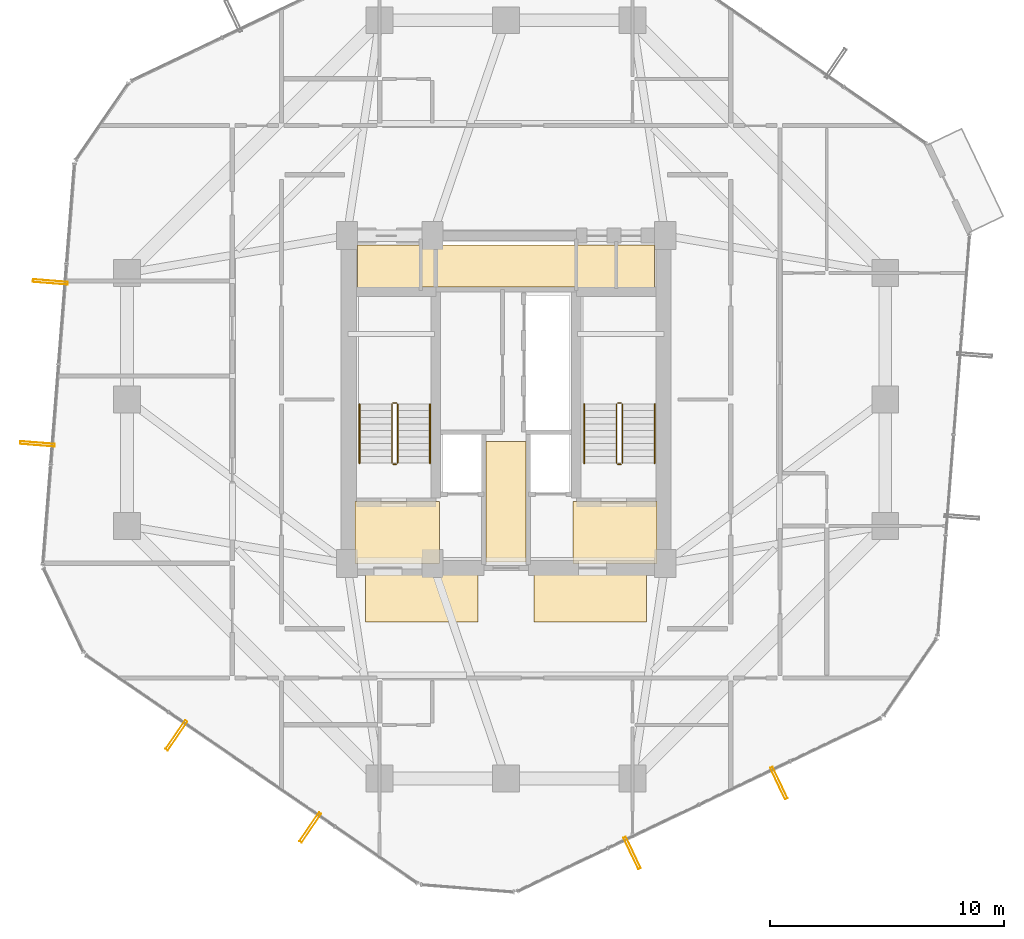
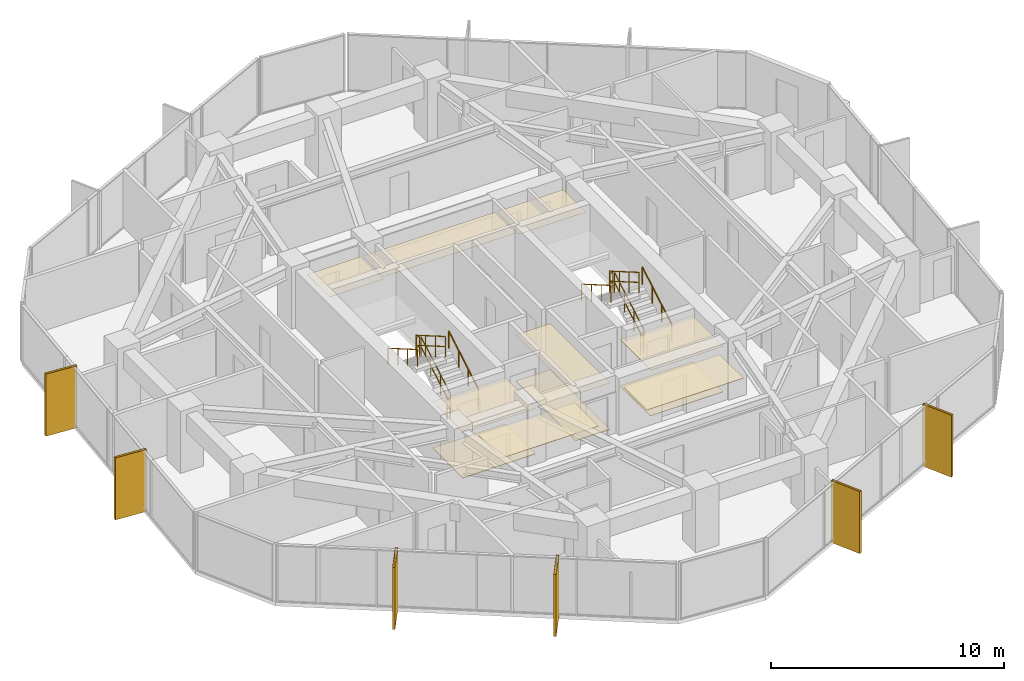
# One storey, part 29 of 30: 12 railings, 11 coverings, 6 shading devices.
"""IFC4 building model written with IfcOpenShell, lengths in metres."""

from ifc_helpers import new_model, si_unit, direction, frame, origin, origin_2d, place, context, subcontext, project, spatial, polyline, hollow_rectangle, circle, outline, extrude, material, layer, layer_set, material_profile, profile_set, type_object, element, save


model = new_model("IFC4")

# Units and contexts
model_context = context("Model", 3, precision=1e-05, world=origin(), true_north=direction((0.0, 1.0)))
body_context = subcontext(model_context, "Body", "Model", "MODEL_VIEW")
ifc_project = project(units=[si_unit("LENGTHUNIT", "METRE"), si_unit("AREAUNIT", "SQUARE_METRE"), si_unit("VOLUMEUNIT", "CUBIC_METRE"), si_unit("PLANEANGLEUNIT", "RADIAN"), si_unit("MASSUNIT", "GRAM", prefix="KILO")], contexts=[model_context])

# Site, building, storey
site_placement = place(None, origin())
site = spatial("IfcSite", under=ifc_project, at=site_placement, CompositionType="ELEMENT")
building_placement = place(site_placement, origin())
building = spatial("IfcBuilding", under=site, at=building_placement, Name="Veraguas Prism Commons", CompositionType="ELEMENT")
storey_placement = place(building_placement, frame((0.0, 0.0, 113.25)))
storey = spatial("IfcBuildingStorey", under=building, at=storey_placement, Name="L31", CompositionType="ELEMENT", Elevation=113.25)

# Shading devices
ifc_material_1 = material(Name="Anodised aluminium EN AW-6063 T6", Category="aluminium")
ifc_material_profile = material_profile(ifc_material_1, hollow_rectangle(XDim=0.1201171875, YDim=1.489990234375, WallThickness=0.006103515625, at=origin_2d()), Name="FIN120X1490X6")
ifc_profile_set = profile_set([ifc_material_profile], Name="Anodised aluminium EN AW-6063 T6")
shading_device_type = type_object("IfcShadingDeviceType", Name="Deep Pale-Metal Vertical Solar Fin 120x1490", PredefinedType="USERDEFINED", material=ifc_profile_set)
for number, where, z_axis, x_axis, name in (
    (1, (4.527587890625, 29.02099609375, -0.22998046875), (0.0, 0.0, 1.0), (-0.078803600935, -0.99689016069, 0.0), "Vertical Pale-Metal Solar Fin L31-F3A"),
    (2, (3.980712890625, 22.100830078125, -0.22998046875), (0.0, 0.0, 1.0), (-0.078803600935, -0.99689016069, 0.0), "Vertical Pale-Metal Solar Fin L31-F3B"),
    (3, (9.91552734375, 9.64697265625, -0.22998046875), (0.0, 0.0, 1.0), (0.823929414409, -0.566692438693, 0.0), "Vertical Pale-Metal Solar Fin L31-F4A"),
    (4, (15.635009765625, 5.713134765625, -0.22998046875), (0.0, 0.0, 1.0), (0.823929414409, -0.566692438693, 0.0), "Vertical Pale-Metal Solar Fin L31-F4B"),
    (5, (29.3876953125, 4.6259765625, -0.22998046875), (0.0, 0.0, 1.0), (0.902734755245, 0.430197584457, 0.0), "Vertical Pale-Metal Solar Fin L31-F5A"),
    (6, (35.654296875, 7.6123046875, -0.22998046875), (0.0, 0.0, 1.0), (0.902734755245, 0.430197584457, 0.0), "Vertical Pale-Metal Solar Fin L31-F5B"),
):
    element("IfcShadingDevice", number, at=place(storey_placement, frame(where, z_axis=z_axis, x_axis=x_axis)), inside=storey, type_object=shading_device_type, Name=name, ObjectType="FIN", PredefinedType="USERDEFINED", context=body_context, shape_type="SweptSolid", body=[
        extrude(hollow_rectangle(XDim=0.1201171875, YDim=1.489990234375, WallThickness=0.006103515625, at=origin_2d()), origin(), (0.0, 0.0, 1.0), 3.25),
    ])

# Coverings
ifc_material_2 = material(Name="Acoustic gypsum board")
ifc_layer_1 = layer(ifc_material_2, 0.02490234375, Name="Perforated Acoustic Ceiling Tile 25")
ifc_layer_set_1 = layer_set([ifc_layer_1], Name="Acoustic gypsum board")
covering_type_1 = type_object("IfcCoveringType", Name="Perforated Acoustic Ceiling Tile 25", PredefinedType="USERDEFINED", material=ifc_layer_set_1)
covering_1_placement = place(storey_placement, frame((0.0, 0.0, 2.425048828125)))
element("IfcCovering", 7, at=covering_1_placement, inside=storey, type_object=covering_type_1, Name="East Lobby Acoustic Ceiling L31", ObjectType="ACOUSTIC CEILING", PredefinedType="USERDEFINED", context=body_context, shape_type="SweptSolid", body=[
    extrude(outline(polyline([(26.85009765625, 17.0), (30.449951171875, 17.0), (30.449951171875, 19.64990234375), (26.85009765625, 19.64990234375), (26.85009765625, 17.0)])), origin(), (0.0, 0.0, 1.0), 0.02490234375),
])
ifc_material_3 = material(Name="Terrazzo stone finish", Category="masonry")
ifc_layer_2 = layer(ifc_material_3, 0.030029296875, Name="Polished Terrazzo Floor Finish 30", Category="masonry")
ifc_layer_set_2 = layer_set([ifc_layer_2], Name="Terrazzo stone finish")
covering_type_2 = type_object("IfcCoveringType", Name="Polished Terrazzo Floor Finish 30", PredefinedType="FLOORING", material=ifc_layer_set_2)
covering_2_placement = place(storey_placement, origin())
element("IfcCovering", 8, at=covering_2_placement, inside=storey, type_object=covering_type_2, Name="Terrazzo Lobby Flooring L31", PredefinedType="FLOORING", context=body_context, shape_type="SweptSolid", body=[
    extrude(outline(polyline([(23.14990234375, 17.050048828125), (24.85009765625, 17.050048828125), (24.85009765625, 22.199951171875), (23.14990234375, 22.199951171875), (23.14990234375, 17.050048828125)])), origin(), (0.0, 0.0, 1.0), 0.030029296875),
])
covering_3_placement = place(storey_placement, origin())
element("IfcCovering", 9, at=covering_3_placement, inside=storey, type_object=covering_type_2, Name="West FF Lobby Terrazzo Flooring L31", PredefinedType="FLOORING", context=body_context, shape_type="SweptSolid", body=[
    extrude(outline(polyline([(17.550048828125, 17.050048828125), (21.14990234375, 17.050048828125), (21.14990234375, 19.64990234375), (17.550048828125, 19.64990234375), (17.550048828125, 17.050048828125)])), origin(), (0.0, 0.0, 1.0), 0.030029296875),
])
covering_4_placement = place(storey_placement, origin())
element("IfcCovering", 10, at=covering_4_placement, inside=storey, type_object=covering_type_2, Name="East FF Lobby Terrazzo Flooring L31", PredefinedType="FLOORING", context=body_context, shape_type="SweptSolid", body=[
    extrude(outline(polyline([(26.85009765625, 17.050048828125), (30.449951171875, 17.050048828125), (30.449951171875, 19.64990234375), (26.85009765625, 19.64990234375), (26.85009765625, 17.050048828125)])), origin(), (0.0, 0.0, 1.0), 0.030029296875),
])

# Railings
ifc_material_4 = material(Name="Stainless steel AISI 316", Category="steel")
railing_type_1 = type_object("IfcRailingType", Name="Stair and Ramp Stainless Handrail 900", PredefinedType="HANDRAIL", material=ifc_material_4)
railing_1_placement = place(storey_placement, frame((20.75, 21.280029296875, 0.16259765625)))
element("IfcRailing", 11, at=railing_1_placement, inside=storey, type_object=railing_type_1, Name="Stair Handrail ST-01 L31-1", PredefinedType="HANDRAIL", context=body_context, shape_type="SweptSolid", body=[
    extrude(circle(Radius=0.02392578125, at=origin_2d()), frame((0.0, 0.0, 0.8759765625), z_axis=(0.0, 0.864913338283, 0.50192122615), x_axis=(-1.0, 0.0, 0.0)), (0.0, 0.0, 1.0), 2.91357421875),
    extrude(circle(Radius=0.02099609375, at=origin_2d()), origin(), (0.0, 0.0, 1.0), 0.851806640625),
    extrude(circle(Radius=0.02099609375, at=origin_2d()), frame((0.0, 0.840087890625, 0.487548828125)), (0.0, 0.0, 1.0), 0.851806640625),
    extrude(circle(Radius=0.02099609375, at=origin_2d()), frame((0.0, 1.679931640625, 0.974853515625)), (0.0, 0.0, 1.0), 0.851806640625),
    extrude(circle(Radius=0.02099609375, at=origin_2d()), frame((0.0, 2.52001953125, 1.46240234375)), (0.0, 0.0, 1.0), 0.851806640625),
])
railing_2_placement = place(storey_placement, frame((17.739990234375, 23.800048828125, 1.78759765625)))
element("IfcRailing", 12, at=railing_2_placement, inside=storey, type_object=railing_type_1, Name="Stair Handrail ST-01 L31-2", PredefinedType="HANDRAIL", context=body_context, shape_type="SweptSolid", body=[
    extrude(circle(Radius=0.02392578125, at=origin_2d()), frame((0.0, 0.0, 0.8759765625), z_axis=(0.0, -0.864913338283, 0.50192122615), x_axis=(1.0, 0.0, 0.0)), (0.0, 0.0, 1.0), 2.91357421875),
    extrude(circle(Radius=0.02099609375, at=origin_2d()), origin(), (0.0, 0.0, 1.0), 0.851806640625),
    extrude(circle(Radius=0.02099609375, at=origin_2d()), frame((0.0, -0.840087890625, 0.487548828125)), (0.0, 0.0, 1.0), 0.851806640625),
    extrude(circle(Radius=0.02099609375, at=origin_2d()), frame((0.0, -1.679931640625, 0.974853515625)), (0.0, 0.0, 1.0), 0.851806640625),
    extrude(circle(Radius=0.02099609375, at=origin_2d()), frame((0.0, -2.52001953125, 1.46240234375)), (0.0, 0.0, 1.0), 0.851806640625),
])
railing_3_placement = place(storey_placement, frame((30.35009765625, 21.280029296875, 0.16259765625)))
element("IfcRailing", 13, at=railing_3_placement, inside=storey, type_object=railing_type_1, Name="Stair Handrail ST-02 L31-1", PredefinedType="HANDRAIL", context=body_context, shape_type="SweptSolid", body=[
    extrude(circle(Radius=0.02392578125, at=origin_2d()), frame((0.0, 0.0, 0.8759765625), z_axis=(0.0, 0.864913338283, 0.50192122615), x_axis=(-1.0, 0.0, 0.0)), (0.0, 0.0, 1.0), 2.91357421875),
    extrude(circle(Radius=0.02099609375, at=origin_2d()), origin(), (0.0, 0.0, 1.0), 0.851806640625),
    extrude(circle(Radius=0.02099609375, at=origin_2d()), frame((0.0, 0.840087890625, 0.487548828125)), (0.0, 0.0, 1.0), 0.851806640625),
    extrude(circle(Radius=0.02099609375, at=origin_2d()), frame((0.0, 1.679931640625, 0.974853515625)), (0.0, 0.0, 1.0), 0.851806640625),
    extrude(circle(Radius=0.02099609375, at=origin_2d()), frame((0.0, 2.52001953125, 1.46240234375)), (0.0, 0.0, 1.0), 0.851806640625),
])
railing_4_placement = place(storey_placement, frame((27.340087890625, 23.800048828125, 1.78759765625)))
element("IfcRailing", 14, at=railing_4_placement, inside=storey, type_object=railing_type_1, Name="Stair Handrail ST-02 L31-2", PredefinedType="HANDRAIL", context=body_context, shape_type="SweptSolid", body=[
    extrude(circle(Radius=0.02392578125, at=origin_2d()), frame((0.0, 0.0, 0.8759765625), z_axis=(0.0, -0.864913338283, 0.50192122615), x_axis=(1.0, 0.0, 0.0)), (0.0, 0.0, 1.0), 2.91357421875),
    extrude(circle(Radius=0.02099609375, at=origin_2d()), origin(), (0.0, 0.0, 1.0), 0.851806640625),
    extrude(circle(Radius=0.02099609375, at=origin_2d()), frame((0.0, -0.840087890625, 0.487548828125)), (0.0, 0.0, 1.0), 0.851806640625),
    extrude(circle(Radius=0.02099609375, at=origin_2d()), frame((0.0, -1.679931640625, 0.974853515625)), (0.0, 0.0, 1.0), 0.851806640625),
    extrude(circle(Radius=0.02099609375, at=origin_2d()), frame((0.0, -2.52001953125, 1.46240234375)), (0.0, 0.0, 1.0), 0.851806640625),
])
railing_type_2 = type_object("IfcRailingType", Name="Stairwell Safety Guardrail 1100", PredefinedType="GUARDRAIL", material=ifc_material_4)
railing_5_placement = place(storey_placement, frame((19.3701171875, 21.280029296875, 0.16259765625)))
element("IfcRailing", 15, at=railing_5_placement, inside=storey, type_object=railing_type_2, Name="Stair Guard ST-01 L31-1", PredefinedType="GUARDRAIL", context=body_context, shape_type="SweptSolid", body=[
    extrude(circle(Radius=0.02392578125, at=origin_2d()), frame((0.0, 0.0, 1.076171875), z_axis=(0.0, 0.864913338283, 0.50192122615), x_axis=(-1.0, 0.0, 0.0)), (0.0, 0.0, 1.0), 2.91357421875),
    extrude(circle(Radius=0.02392578125, at=origin_2d()), frame((0.0, 0.0, 0.550048828125), z_axis=(0.0, 0.864913338283, 0.50192122615), x_axis=(-1.0, 0.0, 0.0)), (0.0, 0.0, 1.0), 2.91357421875),
    extrude(circle(Radius=0.02099609375, at=origin_2d()), origin(), (0.0, 0.0, 1.0), 1.052001953125),
    extrude(circle(Radius=0.02099609375, at=origin_2d()), frame((0.0, 0.840087890625, 0.487548828125)), (0.0, 0.0, 1.0), 1.052001953125),
    extrude(circle(Radius=0.02099609375, at=origin_2d()), frame((0.0, 1.679931640625, 0.974853515625)), (0.0, 0.0, 1.0), 1.052001953125),
    extrude(circle(Radius=0.02099609375, at=origin_2d()), frame((0.0, 2.52001953125, 1.46240234375)), (0.0, 0.0, 1.0), 1.052001953125),
])
railing_6_placement = place(storey_placement, frame((19.320068359375, 23.85009765625, 1.625)))
element("IfcRailing", 16, at=railing_6_placement, inside=storey, type_object=railing_type_2, Name="Stair Guard ST-01 L31-2", PredefinedType="GUARDRAIL", context=body_context, shape_type="SweptSolid", body=[
    extrude(circle(Radius=0.02392578125, at=origin_2d()), frame((0.0, 0.0, 1.076171875), z_axis=(-1.0, 0.0, 0.0), x_axis=(0.0, -1.0, 0.0)), (0.0, 0.0, 1.0), 0.150146484375),
    extrude(circle(Radius=0.02392578125, at=origin_2d()), frame((0.0, 0.0, 0.550048828125), z_axis=(-1.0, 0.0, 0.0), x_axis=(0.0, -1.0, 0.0)), (0.0, 0.0, 1.0), 0.150146484375),
    extrude(circle(Radius=0.02099609375, at=origin_2d()), origin(), (0.0, 0.0, 1.0), 1.052001953125),
    extrude(circle(Radius=0.02099609375, at=origin_2d()), frame((-0.150146484375, 0.0, 0.0)), (0.0, 0.0, 1.0), 1.052001953125),
])
railing_7_placement = place(storey_placement, frame((19.1201171875, 23.800048828125, 1.78759765625)))
element("IfcRailing", 17, at=railing_7_placement, inside=storey, type_object=railing_type_2, Name="Stair Guard ST-01 L31-3", PredefinedType="GUARDRAIL", context=body_context, shape_type="SweptSolid", body=[
    extrude(circle(Radius=0.02392578125, at=origin_2d()), frame((0.0, 0.0, 1.076171875), z_axis=(0.0, -0.864913338283, 0.50192122615), x_axis=(1.0, 0.0, 0.0)), (0.0, 0.0, 1.0), 2.91357421875),
    extrude(circle(Radius=0.02392578125, at=origin_2d()), frame((0.0, 0.0, 0.550048828125), z_axis=(0.0, -0.864913338283, 0.50192122615), x_axis=(1.0, 0.0, 0.0)), (0.0, 0.0, 1.0), 2.91357421875),
    extrude(circle(Radius=0.02099609375, at=origin_2d()), origin(), (0.0, 0.0, 1.0), 1.052001953125),
    extrude(circle(Radius=0.02099609375, at=origin_2d()), frame((0.0, -0.840087890625, 0.487548828125)), (0.0, 0.0, 1.0), 1.052001953125),
    extrude(circle(Radius=0.02099609375, at=origin_2d()), frame((0.0, -1.679931640625, 0.974853515625)), (0.0, 0.0, 1.0), 1.052001953125),
    extrude(circle(Radius=0.02099609375, at=origin_2d()), frame((0.0, -2.52001953125, 1.46240234375)), (0.0, 0.0, 1.0), 1.052001953125),
])
railing_8_placement = place(storey_placement, frame((19.320068359375, 21.22998046875, 0.0)))
element("IfcRailing", 18, at=railing_8_placement, inside=storey, type_object=railing_type_2, Name="Stair Guard ST-01 L31-4", PredefinedType="GUARDRAIL", context=body_context, shape_type="SweptSolid", body=[
    extrude(circle(Radius=0.02392578125, at=origin_2d()), frame((0.0, 0.0, 1.076171875), z_axis=(-1.0, 0.0, 0.0), x_axis=(0.0, -1.0, 0.0)), (0.0, 0.0, 1.0), 0.150146484375),
    extrude(circle(Radius=0.02392578125, at=origin_2d()), frame((0.0, 0.0, 0.550048828125), z_axis=(-1.0, 0.0, 0.0), x_axis=(0.0, -1.0, 0.0)), (0.0, 0.0, 1.0), 0.150146484375),
    extrude(circle(Radius=0.02099609375, at=origin_2d()), origin(), (0.0, 0.0, 1.0), 1.052001953125),
    extrude(circle(Radius=0.02099609375, at=origin_2d()), frame((-0.150146484375, 0.0, 0.0)), (0.0, 0.0, 1.0), 1.052001953125),
])
railing_9_placement = place(storey_placement, frame((28.969970703125, 21.280029296875, 0.16259765625)))
element("IfcRailing", 19, at=railing_9_placement, inside=storey, type_object=railing_type_2, Name="Stair Guard ST-02 L31-1", PredefinedType="GUARDRAIL", context=body_context, shape_type="SweptSolid", body=[
    extrude(circle(Radius=0.02392578125, at=origin_2d()), frame((0.0, 0.0, 1.076171875), z_axis=(0.0, 0.864913338283, 0.50192122615), x_axis=(-1.0, 0.0, 0.0)), (0.0, 0.0, 1.0), 2.91357421875),
    extrude(circle(Radius=0.02392578125, at=origin_2d()), frame((0.0, 0.0, 0.550048828125), z_axis=(0.0, 0.864913338283, 0.50192122615), x_axis=(-1.0, 0.0, 0.0)), (0.0, 0.0, 1.0), 2.91357421875),
    extrude(circle(Radius=0.02099609375, at=origin_2d()), origin(), (0.0, 0.0, 1.0), 1.052001953125),
    extrude(circle(Radius=0.02099609375, at=origin_2d()), frame((0.0, 0.840087890625, 0.487548828125)), (0.0, 0.0, 1.0), 1.052001953125),
    extrude(circle(Radius=0.02099609375, at=origin_2d()), frame((0.0, 1.679931640625, 0.974853515625)), (0.0, 0.0, 1.0), 1.052001953125),
    extrude(circle(Radius=0.02099609375, at=origin_2d()), frame((0.0, 2.52001953125, 1.46240234375)), (0.0, 0.0, 1.0), 1.052001953125),
])
railing_10_placement = place(storey_placement, frame((28.919921875, 23.85009765625, 1.625)))
element("IfcRailing", 20, at=railing_10_placement, inside=storey, type_object=railing_type_2, Name="Stair Guard ST-02 L31-2", PredefinedType="GUARDRAIL", context=body_context, shape_type="SweptSolid", body=[
    extrude(circle(Radius=0.02392578125, at=origin_2d()), frame((0.0, 0.0, 1.076171875), z_axis=(-1.0, 0.0, 0.0), x_axis=(0.0, -1.0, 0.0)), (0.0, 0.0, 1.0), 0.14990234375),
    extrude(circle(Radius=0.02392578125, at=origin_2d()), frame((0.0, 0.0, 0.550048828125), z_axis=(-1.0, 0.0, 0.0), x_axis=(0.0, -1.0, 0.0)), (0.0, 0.0, 1.0), 0.14990234375),
    extrude(circle(Radius=0.02099609375, at=origin_2d()), origin(), (0.0, 0.0, 1.0), 1.052001953125),
    extrude(circle(Radius=0.02099609375, at=origin_2d()), frame((-0.14990234375, 0.0, 0.0)), (0.0, 0.0, 1.0), 1.052001953125),
])
railing_11_placement = place(storey_placement, frame((28.719970703125, 23.800048828125, 1.78759765625)))
element("IfcRailing", 21, at=railing_11_placement, inside=storey, type_object=railing_type_2, Name="Stair Guard ST-02 L31-3", PredefinedType="GUARDRAIL", context=body_context, shape_type="SweptSolid", body=[
    extrude(circle(Radius=0.02392578125, at=origin_2d()), frame((0.0, 0.0, 1.076171875), z_axis=(0.0, -0.864913338283, 0.50192122615), x_axis=(1.0, 0.0, 0.0)), (0.0, 0.0, 1.0), 2.91357421875),
    extrude(circle(Radius=0.02392578125, at=origin_2d()), frame((0.0, 0.0, 0.550048828125), z_axis=(0.0, -0.864913338283, 0.50192122615), x_axis=(1.0, 0.0, 0.0)), (0.0, 0.0, 1.0), 2.91357421875),
    extrude(circle(Radius=0.02099609375, at=origin_2d()), origin(), (0.0, 0.0, 1.0), 1.052001953125),
    extrude(circle(Radius=0.02099609375, at=origin_2d()), frame((0.0, -0.840087890625, 0.487548828125)), (0.0, 0.0, 1.0), 1.052001953125),
    extrude(circle(Radius=0.02099609375, at=origin_2d()), frame((0.0, -1.679931640625, 0.974853515625)), (0.0, 0.0, 1.0), 1.052001953125),
    extrude(circle(Radius=0.02099609375, at=origin_2d()), frame((0.0, -2.52001953125, 1.46240234375)), (0.0, 0.0, 1.0), 1.052001953125),
])
railing_12_placement = place(storey_placement, frame((28.919921875, 21.22998046875, 0.0)))
element("IfcRailing", 22, at=railing_12_placement, inside=storey, type_object=railing_type_2, Name="Stair Guard ST-02 L31-4", PredefinedType="GUARDRAIL", context=body_context, shape_type="SweptSolid", body=[
    extrude(circle(Radius=0.02392578125, at=origin_2d()), frame((0.0, 0.0, 1.076171875), z_axis=(-1.0, 0.0, 0.0), x_axis=(0.0, -1.0, 0.0)), (0.0, 0.0, 1.0), 0.14990234375),
    extrude(circle(Radius=0.02392578125, at=origin_2d()), frame((0.0, 0.0, 0.550048828125), z_axis=(-1.0, 0.0, 0.0), x_axis=(0.0, -1.0, 0.0)), (0.0, 0.0, 1.0), 0.14990234375),
    extrude(circle(Radius=0.02099609375, at=origin_2d()), origin(), (0.0, 0.0, 1.0), 1.052001953125),
    extrude(circle(Radius=0.02099609375, at=origin_2d()), frame((-0.14990234375, 0.0, 0.0)), (0.0, 0.0, 1.0), 1.052001953125),
])

# Coverings
ifc_layer_3 = layer(ifc_material_2, 0.02001953125, Name="Suspended Gypsum Ceiling 20")
ifc_layer_set_3 = layer_set([ifc_layer_3], Name="Acoustic gypsum board")
covering_type_3 = type_object("IfcCoveringType", Name="Suspended Gypsum Ceiling 20", PredefinedType="CEILING", material=ifc_layer_set_3)
covering_5_placement = place(storey_placement, frame((0.0, 0.0, 2.429931640625)))
element("IfcCovering", 23, at=covering_5_placement, inside=storey, type_object=covering_type_3, Name="West Lobby Suspended Gypsum Ceiling L31", PredefinedType="CEILING", context=body_context, shape_type="SweptSolid", body=[
    extrude(outline(polyline([(17.550048828125, 17.0), (21.14990234375, 17.0), (21.14990234375, 19.64990234375), (17.550048828125, 19.64990234375), (17.550048828125, 17.0)])), origin(), (0.0, 0.0, 1.0), 0.02001953125),
])
covering_6_placement = place(storey_placement, frame((0.0, 0.0, 2.429931640625)))
element("IfcCovering", 24, at=covering_6_placement, inside=storey, type_object=covering_type_3, Name="Core Lobby Acoustic Ceiling L31-1", PredefinedType="CEILING", context=body_context, shape_type="SweptSolid", body=[
    extrude(outline(polyline([(18.0, 14.5), (22.800048828125, 14.5), (22.800048828125, 16.550048828125), (18.0, 16.550048828125), (18.0, 14.5)])), origin(), (0.0, 0.0, 1.0), 0.02001953125),
])
covering_7_placement = place(storey_placement, frame((0.0, 0.0, 2.429931640625)))
element("IfcCovering", 25, at=covering_7_placement, inside=storey, type_object=covering_type_3, Name="Core Lobby Acoustic Ceiling L31-2", PredefinedType="CEILING", context=body_context, shape_type="SweptSolid", body=[
    extrude(outline(polyline([(25.199951171875, 14.5), (30.0, 14.5), (30.0, 16.550048828125), (25.199951171875, 16.550048828125), (25.199951171875, 14.5)])), origin(), (0.0, 0.0, 1.0), 0.02001953125),
])
covering_8_placement = place(storey_placement, frame((0.0, 0.0, 2.429931640625)))
element("IfcCovering", 26, at=covering_8_placement, inside=storey, type_object=covering_type_3, Name="Core Lobby Acoustic Ceiling L31-3", PredefinedType="CEILING", context=body_context, shape_type="SweptSolid", body=[
    extrude(outline(polyline([(23.14990234375, 17.050048828125), (24.85009765625, 17.050048828125), (24.85009765625, 22.199951171875), (23.14990234375, 22.199951171875), (23.14990234375, 17.050048828125)])), origin(), (0.0, 0.0, 1.0), 0.02001953125),
])
covering_9_placement = place(storey_placement, frame((0.0, 0.0, 2.429931640625)))
element("IfcCovering", 27, at=covering_9_placement, inside=storey, type_object=covering_type_3, Name="Core Lobby Acoustic Ceiling L31-4", PredefinedType="CEILING", context=body_context, shape_type="SweptSolid", body=[
    extrude(outline(polyline([(17.64990234375, 28.64990234375), (20.300048828125, 28.64990234375), (20.300048828125, 30.60009765625), (17.64990234375, 30.60009765625), (17.64990234375, 28.64990234375)])), origin(), (0.0, 0.0, 1.0), 0.02001953125),
])
covering_10_placement = place(storey_placement, frame((0.0, 0.0, 2.429931640625)))
element("IfcCovering", 28, at=covering_10_placement, inside=storey, type_object=covering_type_3, Name="Core Lobby Acoustic Ceiling L31-5", PredefinedType="CEILING", context=body_context, shape_type="SweptSolid", body=[
    extrude(outline(polyline([(27.050048828125, 28.64990234375), (30.35009765625, 28.64990234375), (30.35009765625, 30.60009765625), (27.050048828125, 30.60009765625), (27.050048828125, 28.64990234375)])), origin(), (0.0, 0.0, 1.0), 0.02001953125),
])
covering_11_placement = place(storey_placement, frame((0.0, 0.0, 2.429931640625)))
element("IfcCovering", 29, at=covering_11_placement, inside=storey, type_object=covering_type_3, Name="Core Lobby Acoustic Ceiling L31-6", PredefinedType="CEILING", context=body_context, shape_type="SweptSolid", body=[
    extrude(outline(polyline([(20.39990234375, 28.800048828125), (26.949951171875, 28.800048828125), (26.949951171875, 30.60009765625), (20.39990234375, 30.60009765625), (20.39990234375, 28.800048828125)])), origin(), (0.0, 0.0, 1.0), 0.02001953125),
])

save(model, "model.ifc")
